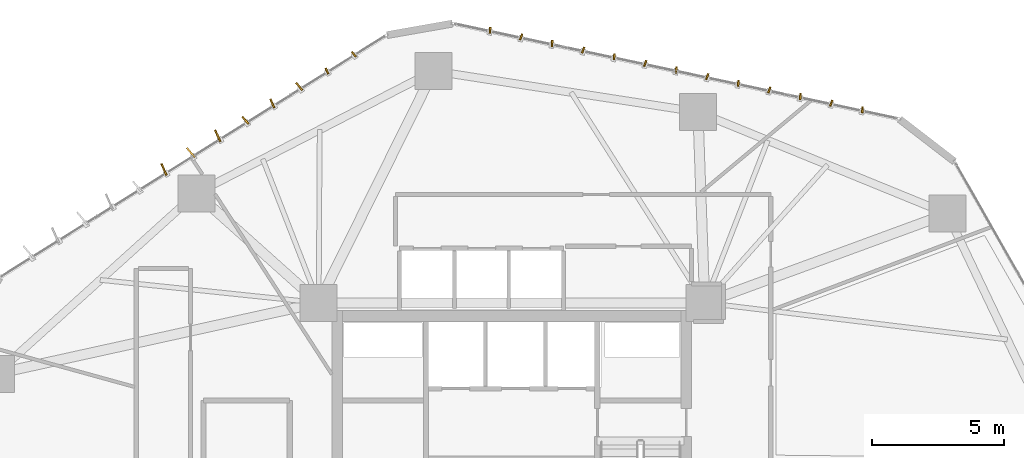
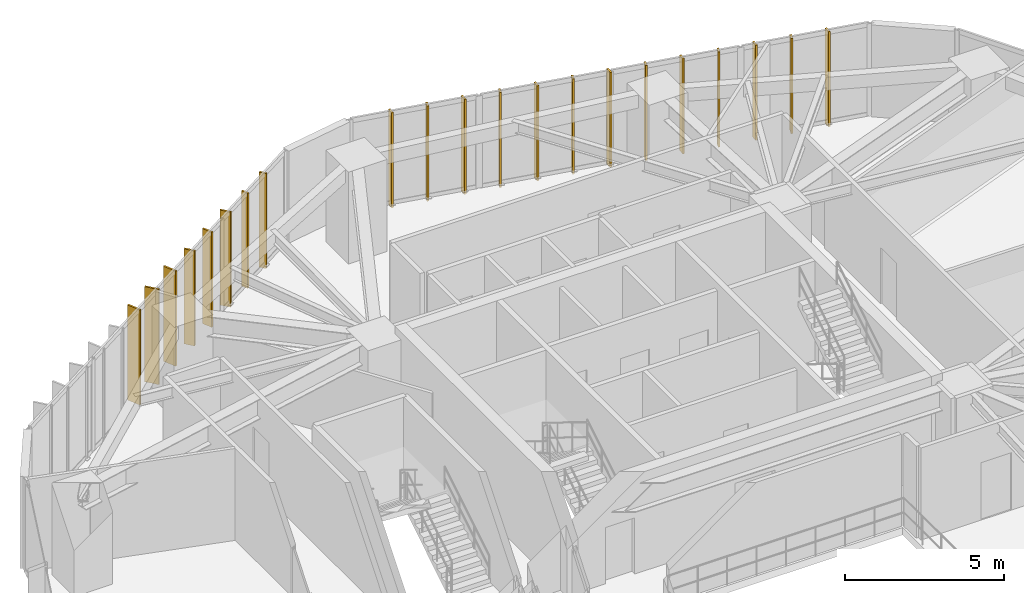
# One storey, part 22 of 22: 21 shading devices.
"""IFC4 building model written with IfcOpenShell, lengths in metres."""

from ifc_helpers import new_model, si_unit, direction, frame, origin, origin_2d, place, context, subcontext, project, spatial, rectangle, extrude, source, transform, mapped, material, layer, layer_set, type_object, type_shapes, element, save


model = new_model("IFC4")

# Units and contexts
model_context = context("Model", 3, precision=1e-05, world=origin(), true_north=direction((0.0, 1.0)))
body_context = subcontext(model_context, "Body", "Model", "MODEL_VIEW")
ifc_project = project(units=[si_unit("LENGTHUNIT", "METRE"), si_unit("AREAUNIT", "SQUARE_METRE"), si_unit("VOLUMEUNIT", "CUBIC_METRE"), si_unit("PLANEANGLEUNIT", "RADIAN"), si_unit("MASSUNIT", "GRAM", prefix="KILO")], contexts=[model_context])

# Site, building, storey
site_placement = place(None, origin())
site = spatial("IfcSite", under=ifc_project, at=site_placement, CompositionType="ELEMENT")
building_placement = place(site_placement, origin())
building = spatial("IfcBuilding", under=site, at=building_placement, Name="Talar Marvaseh", CompositionType="ELEMENT")
storey_placement = place(building_placement, frame((0.0, 0.0, 54.39990234375)))
storey = spatial("IfcBuildingStorey", under=building, at=storey_placement, Name="L13", CompositionType="ELEMENT", Elevation=54.39990234375)

# Shading devices
ifc_material = material(Name="Anodised Champagne Bronze Aluminium", Category="aluminium")
ifc_layer_1 = layer(ifc_material, 0.06494140625)
ifc_layer_set_1 = layer_set([ifc_layer_1], Name="Anodised Champagne Bronze Aluminium")
shading_device_type_1 = type_object("IfcShadingDeviceType", Name="Sawtooth Champagne Bronze Vertical Fin 240", PredefinedType="USERDEFINED", material=ifc_layer_set_1)
shared_shape_1 = source(origin(), body_context, "Body", "SweptSolid", [
    extrude(rectangle(XDim=0.239990234375, YDim=0.06494140625, at=origin_2d()), origin(), (0.0, 0.0, 1.0), 3.639892578125),
])
type_shapes(shading_device_type_1, [shared_shape_1])
for number, where, z_axis, x_axis, name in (
    (1, (19.0107421875, 45.663818359375, -0.11962890625), (0.0, 0.0, 1.0), (-0.407852445573, 0.913047853423, 0.0), "L13 Sawtooth Vertical Solar Fin"),
    (2, (20.027587890625, 46.301025390625, -0.11962890625), (0.0, 0.0, 1.0), (-0.643723029576, 0.765258558393, 0.0), "L13 Sawtooth Vertical Solar Fin"),
    (3, (25.181884765625, 47.209716796875, -0.11962890625), (0.0, 0.0, 1.0), (0.070975175783, 0.997478082177, 0.0), "L13 Sawtooth Vertical Solar Fin"),
    (4, (26.35546875, 46.958984375, -0.11962890625), (0.0, 0.0, 1.0), (0.343167938899, 0.939274063153, 0.0), "L13 Sawtooth Vertical Solar Fin"),
    (5, (27.52880859375, 46.7080078125, -0.11962890625), (0.0, 0.0, 1.0), (0.070975175783, 0.997478082177, 0.0), "L13 Sawtooth Vertical Solar Fin"),
    (6, (28.702392578125, 46.45703125, -0.11962890625), (0.0, 0.0, 1.0), (0.343167938899, 0.939274063153, 0.0), "L13 Sawtooth Vertical Solar Fin"),
    (7, (29.8759765625, 46.206298828125, -0.11962890625), (0.0, 0.0, 1.0), (0.070975175783, 0.997478082177, 0.0), "L13 Sawtooth Vertical Solar Fin"),
    (8, (31.04931640625, 45.955322265625, -0.11962890625), (0.0, 0.0, 1.0), (0.343167938899, 0.939274063153, 0.0), "L13 Sawtooth Vertical Solar Fin"),
    (9, (32.222900390625, 45.70458984375, -0.11962890625), (0.0, 0.0, 1.0), (0.070975175783, 0.997478082177, 0.0), "L13 Sawtooth Vertical Solar Fin"),
    (10, (33.396240234375, 45.45361328125, -0.11962890625), (0.0, 0.0, 1.0), (0.343167938899, 0.939274063153, 0.0), "L13 Sawtooth Vertical Solar Fin"),
    (11, (34.56982421875, 45.20263671875, -0.11962890625), (0.0, 0.0, 1.0), (0.070975175783, 0.997478082177, 0.0), "L13 Sawtooth Vertical Solar Fin"),
    (12, (35.743408203125, 44.951904296875, -0.11962890625), (0.0, 0.0, 1.0), (0.343167938899, 0.939274063153, 0.0), "L13 Sawtooth Vertical Solar Fin"),
    (13, (36.916748046875, 44.700927734375, -0.11962890625), (0.0, 0.0, 1.0), (0.070975175783, 0.997478082177, 0.0), "L13 Sawtooth Vertical Solar Fin"),
    (14, (38.09033203125, 44.449951171875, -0.11962890625), (0.0, 0.0, 1.0), (0.343167938899, 0.939274063153, 0.0), "L13 Sawtooth Vertical Solar Fin"),
    (15, (39.263671875, 44.19921875, -0.11962890625), (0.0, 0.0, 1.0), (0.070975175783, 0.997478082177, 0.0), "L13 Sawtooth Vertical Solar Fin"),
):
    element("IfcShadingDevice", number, at=place(storey_placement, frame(where, z_axis=z_axis, x_axis=x_axis)), inside=storey, type_object=shading_device_type_1, Name=name, ObjectType="FIN", PredefinedType="USERDEFINED", context=body_context, shape_type="MappedRepresentation", body=[
        mapped(shared_shape_1, transform((0.0, 0.0, 0.0), x_axis=(1.0, 0.0, 0.0), y_axis=(0.0, 1.0, 0.0), z_axis=(0.0, 0.0, 1.0), scale=1.0)),
    ])
ifc_layer_2 = layer(ifc_material, 0.06494140625)
ifc_layer_set_2 = layer_set([ifc_layer_2], Name="Anodised Champagne Bronze Aluminium")
shading_device_type_2 = type_object("IfcShadingDeviceType", Name="Sawtooth Champagne Bronze Vertical Fin 360", PredefinedType="USERDEFINED", material=ifc_layer_set_2)
shared_shape_2 = source(origin(), body_context, "Body", "SweptSolid", [
    extrude(rectangle(XDim=0.360107421875, YDim=0.06494140625, at=origin_2d()), origin(), (0.0, 0.0, 1.0), 3.639892578125),
])
type_shapes(shading_device_type_2, [shared_shape_2])
for number, where, z_axis, x_axis, name in (
    (16, (15.927978515625, 43.80322265625, -0.11962890625), (0.0, 0.0, 1.0), (-0.643723029576, 0.765258558393, 0.0), "L13 Sawtooth Vertical Solar Fin"),
    (17, (16.945068359375, 44.4404296875, -0.11962890625), (0.0, 0.0, 1.0), (-0.407852445573, 0.913047853423, 0.0), "L13 Sawtooth Vertical Solar Fin"),
    (18, (17.9619140625, 45.07763671875, -0.11962890625), (0.0, 0.0, 1.0), (-0.643723029576, 0.765258558393, 0.0), "L13 Sawtooth Vertical Solar Fin"),
):
    element("IfcShadingDevice", number, at=place(storey_placement, frame(where, z_axis=z_axis, x_axis=x_axis)), inside=storey, type_object=shading_device_type_2, Name=name, ObjectType="FIN", PredefinedType="USERDEFINED", context=body_context, shape_type="MappedRepresentation", body=[
        mapped(shared_shape_2, transform((0.0, 0.0, 0.0), x_axis=(1.0, 0.0, 0.0), y_axis=(0.0, 1.0, 0.0), z_axis=(0.0, 0.0, 1.0), scale=1.0)),
    ])
ifc_layer_3 = layer(ifc_material, 0.06494140625)
ifc_layer_set_3 = layer_set([ifc_layer_3], Name="Anodised Champagne Bronze Aluminium")
shading_device_type_3 = type_object("IfcShadingDeviceType", Name="Sawtooth Champagne Bronze Vertical Fin 480", PredefinedType="USERDEFINED", material=ifc_layer_set_3)
shared_shape_3 = source(origin(), body_context, "Body", "SweptSolid", [
    extrude(rectangle(XDim=0.47998046875, YDim=0.06494140625, at=origin_2d()), origin(), (0.0, 0.0, 1.0), 3.639892578125),
])
type_shapes(shading_device_type_3, [shared_shape_3])
for number, where, z_axis, x_axis, name in (
    (19, (12.845703125, 41.94287109375, -0.11962890625), (0.0, 0.0, 1.0), (-0.407852445573, 0.913047853423, 0.0), "L13 Sawtooth Vertical Solar Fin"),
    (20, (13.862548828125, 42.580078125, -0.11962890625), (0.0, 0.0, 1.0), (-0.643723029576, 0.765258558393, 0.0), "L13 Sawtooth Vertical Solar Fin"),
    (21, (14.87939453125, 43.217041015625, -0.11962890625), (0.0, 0.0, 1.0), (-0.407852445573, 0.913047853423, 0.0), "L13 Sawtooth Vertical Solar Fin"),
):
    element("IfcShadingDevice", number, at=place(storey_placement, frame(where, z_axis=z_axis, x_axis=x_axis)), inside=storey, type_object=shading_device_type_3, Name=name, ObjectType="FIN", PredefinedType="USERDEFINED", context=body_context, shape_type="MappedRepresentation", body=[
        mapped(shared_shape_3, transform((0.0, 0.0, 0.0), x_axis=(1.0, 0.0, 0.0), y_axis=(0.0, 1.0, 0.0), z_axis=(0.0, 0.0, 1.0), scale=1.0)),
    ])

save(model, "model.ifc")
